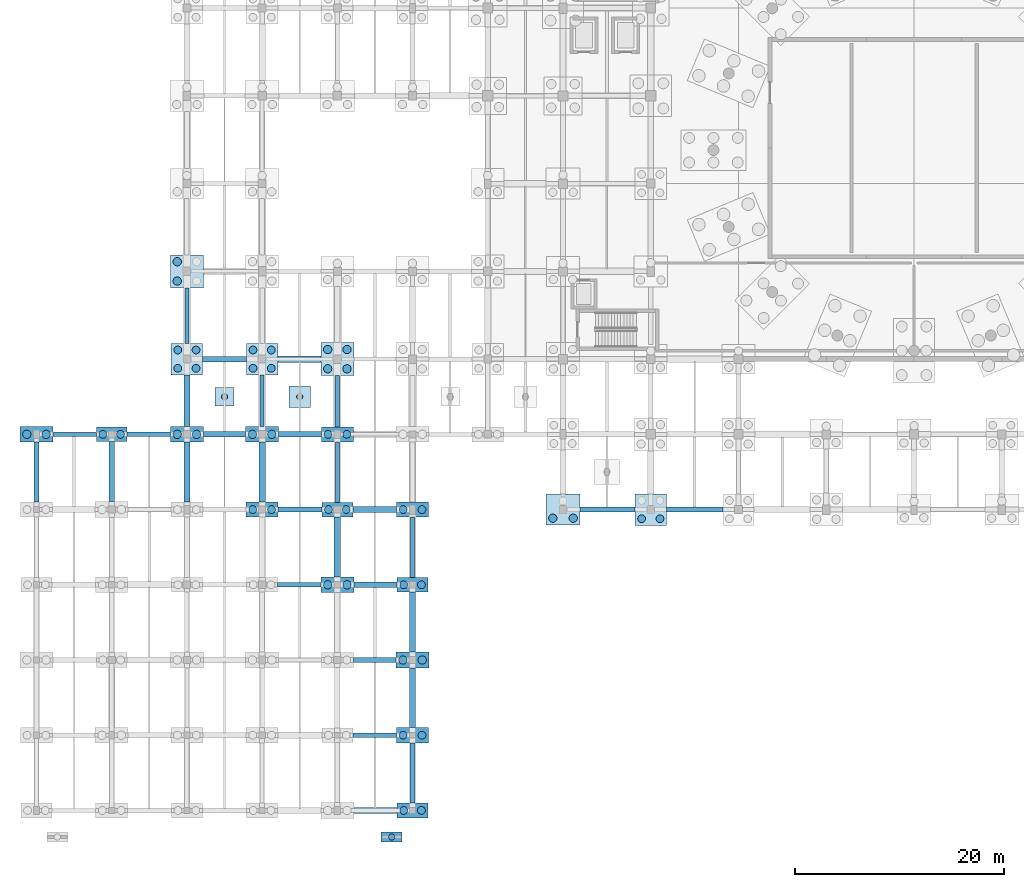
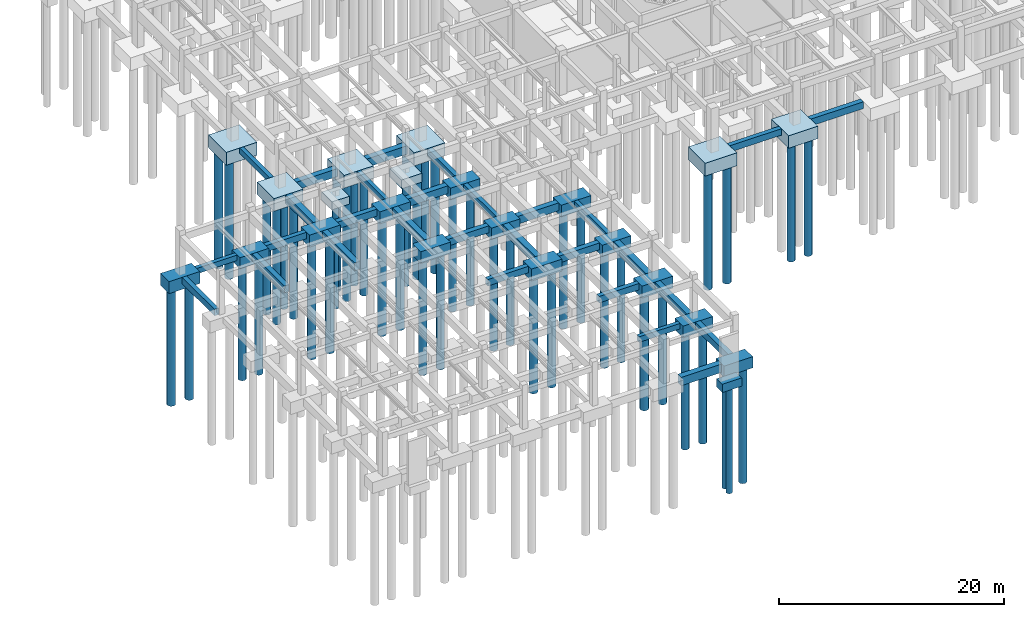
# One storey, part 2 of 44: 51 footings, 47 piles.
"""IFC4 building model written with IfcOpenShell, lengths in metres."""

from ifc_helpers import new_model, si_unit, direction, frame, origin, origin_2d, place, context, subcontext, project, spatial, rectangle, circle, extrude, material, material_profile, profile_set, type_object, element, save


model = new_model("IFC4")

# Units and contexts
model_context = context("Model", 3, precision=1e-05, world=origin(), true_north=direction((0.0, 1.0)))
body_context = subcontext(model_context, "Body", "Model", "MODEL_VIEW")
ifc_project = project(units=[si_unit("LENGTHUNIT", "METRE"), si_unit("AREAUNIT", "SQUARE_METRE"), si_unit("VOLUMEUNIT", "CUBIC_METRE"), si_unit("PLANEANGLEUNIT", "RADIAN"), si_unit("MASSUNIT", "GRAM", prefix="KILO")], contexts=[model_context])

# Site, building, storey
site_placement = place(None, origin())
site = spatial("IfcSite", under=ifc_project, at=site_placement, CompositionType="ELEMENT")
building_placement = place(site_placement, origin())
building = spatial("IfcBuilding", under=site, at=building_placement, Name="Korsvaeld Concert Hall", CompositionType="ELEMENT")
storey_placement = place(building_placement, frame((0.0, 0.0, -4.800048828125)))
storey = spatial("IfcBuildingStorey", under=building, at=storey_placement, Name="B1", CompositionType="ELEMENT", Elevation=-4.800048828125)

# Footings
ifc_material = material(Name="Concrete C35/45", Category="concrete")
ifc_material_profile_1 = material_profile(ifc_material, rectangle(XDim=0.39990234375, YDim=0.60009765625, at=origin_2d()), Name="GTB 400x600")
ifc_profile_set_1 = profile_set([ifc_material_profile_1], Name="Concrete C35/45")
footing_type_1 = type_object("IfcFootingType", Name="GTB-400x600", PredefinedType="FOOTING_BEAM", material=ifc_profile_set_1)
footing_1_placement = place(storey_placement, frame((30.27490234375, 7.199951171875, -0.300048828125), z_axis=(1.0, 0.0, 0.0), x_axis=(0.0, 1.0, 0.0)))
element("IfcFooting", 1, at=footing_1_placement, inside=storey, type_object=footing_type_1, Name="Ground tie beam 5-6/B", PredefinedType="FOOTING_BEAM", context=body_context, shape_type="SweptSolid", body=[
    extrude(rectangle(XDim=0.39990234375, YDim=0.60009765625, at=origin_2d()), origin(), (0.0, 0.0, 1.0), 4.2001953125),
])
footing_2_placement = place(storey_placement, frame((1.574951171875, 36.0, -0.300048828125), z_axis=(1.0, 0.0, 0.0), x_axis=(0.0, 1.0, 0.0)))
element("IfcFooting", 2, at=footing_2_placement, inside=storey, type_object=footing_type_1, Name="Ground tie beam 1-2/F", PredefinedType="FOOTING_BEAM", context=body_context, shape_type="SweptSolid", body=[
    extrude(rectangle(XDim=0.39990234375, YDim=0.60009765625, at=origin_2d()), origin(), (0.0, 0.0, 1.0), 4.150146484375),
])
footing_3_placement = place(storey_placement, frame((14.39990234375, 44.699951171875, -0.300048828125), z_axis=(0.0, 1.0, 0.0), x_axis=(-1.0, 0.0, 0.0)))
element("IfcFooting", 3, at=footing_3_placement, inside=storey, type_object=footing_type_1, Name="Ground tie beam 3/G-H", PredefinedType="FOOTING_BEAM", context=body_context, shape_type="SweptSolid", body=[
    extrude(rectangle(XDim=0.39990234375, YDim=0.60009765625, at=origin_2d()), origin(), (0.0, 0.0, 1.0), 5.324951171875),
])
footing_4_placement = place(storey_placement, frame((21.60009765625, 36.75, -0.300048828125), z_axis=(0.0, 1.0, 0.0), x_axis=(-1.0, 0.0, 0.0)))
element("IfcFooting", 4, at=footing_4_placement, inside=storey, type_object=footing_type_1, Name="Ground tie beam 4/F-G", PredefinedType="FOOTING_BEAM", context=body_context, shape_type="SweptSolid", body=[
    extrude(rectangle(XDim=0.39990234375, YDim=0.60009765625, at=origin_2d()), origin(), (0.0, 0.0, 1.0), 4.949951171875),
])
for number, where, z_axis, x_axis, name in (
    (5, (28.800048828125, 29.5, -0.300048828125), (0.0, 1.0, 0.0), (-1.0, 0.0, 0.0), "Ground tie beam 5/E-F"),
    (6, (36.0, 22.300048828125, -0.300048828125), (0.0, 1.0, 0.0), (-1.0, 0.0, 0.0), "Ground tie beam 6/D-E"),
):
    element("IfcFooting", number, at=place(storey_placement, frame(where, z_axis=z_axis, x_axis=x_axis)), inside=storey, type_object=footing_type_1, Name=name, PredefinedType="FOOTING_BEAM", context=body_context, shape_type="SweptSolid", body=[
        extrude(rectangle(XDim=0.39990234375, YDim=0.60009765625, at=origin_2d()), origin(), (0.0, 0.0, 1.0), 5.77490234375),
    ])
ifc_material_profile_2 = material_profile(ifc_material, rectangle(XDim=0.449951171875, YDim=0.699951171875, at=origin_2d()), Name="GTB 450x700")
ifc_profile_set_2 = profile_set([ifc_material_profile_2], Name="Concrete C35/45")
footing_type_2 = type_object("IfcFootingType", Name="GTB-450x700", PredefinedType="FOOTING_BEAM", material=ifc_profile_set_2)
footing_5_placement = place(storey_placement, frame((30.324951171875, 14.39990234375, -0.349853515625), z_axis=(1.0, 0.0, 0.0), x_axis=(0.0, 1.0, 0.0)))
element("IfcFooting", 7, at=footing_5_placement, inside=storey, type_object=footing_type_2, Name="Ground tie beam 5-6/C", PredefinedType="FOOTING_BEAM", context=body_context, shape_type="SweptSolid", body=[
    extrude(rectangle(XDim=0.449951171875, YDim=0.699951171875, at=origin_2d()), origin(), (0.0, 0.0, 1.0), 4.10009765625),
])
footing_6_placement = place(storey_placement, frame((23.074951171875, 21.60009765625, -0.349853515625), z_axis=(1.0, 0.0, 0.0), x_axis=(0.0, 1.0, 0.0)))
element("IfcFooting", 8, at=footing_6_placement, inside=storey, type_object=footing_type_2, Name="Ground tie beam 4-5/D", PredefinedType="FOOTING_BEAM", context=body_context, shape_type="SweptSolid", body=[
    extrude(rectangle(XDim=0.449951171875, YDim=0.699951171875, at=origin_2d()), origin(), (0.0, 0.0, 1.0), 4.150146484375),
])
footing_7_placement = place(storey_placement, frame((52.02490234375, 28.800048828125, -0.349853515625), z_axis=(1.0, 0.0, 0.0), x_axis=(0.0, 1.0, 0.0)))
element("IfcFooting", 9, at=footing_7_placement, inside=storey, type_object=footing_type_2, Name="Ground tie beam 8-9/E", PredefinedType="FOOTING_BEAM", context=body_context, shape_type="SweptSolid", body=[
    extrude(rectangle(XDim=0.449951171875, YDim=0.699951171875, at=origin_2d()), origin(), (0.0, 0.0, 1.0), 5.275146484375),
])
footing_8_placement = place(storey_placement, frame((8.675048828125, 36.0, -0.349853515625), z_axis=(1.0, 0.0, 0.0), x_axis=(0.0, 1.0, 0.0)))
element("IfcFooting", 10, at=footing_8_placement, inside=storey, type_object=footing_type_2, Name="Ground tie beam 2-3/F", PredefinedType="FOOTING_BEAM", context=body_context, shape_type="SweptSolid", body=[
    extrude(rectangle(XDim=0.449951171875, YDim=0.699951171875, at=origin_2d()), origin(), (0.0, 0.0, 1.0), 4.14990234375),
])
footing_9_placement = place(storey_placement, frame((0.0, 29.52490234375, -0.349853515625), z_axis=(0.0, 1.0, 0.0), x_axis=(-1.0, 0.0, 0.0)))
element("IfcFooting", 11, at=footing_9_placement, inside=storey, type_object=footing_type_2, Name="Ground tie beam 1/E-F", PredefinedType="FOOTING_BEAM", context=body_context, shape_type="SweptSolid", body=[
    extrude(rectangle(XDim=0.449951171875, YDim=0.699951171875, at=origin_2d()), origin(), (0.0, 0.0, 1.0), 5.72509765625),
])
footing_10_placement = place(storey_placement, frame((28.800048828125, 36.72509765625, -0.349853515625), z_axis=(0.0, 1.0, 0.0), x_axis=(-1.0, 0.0, 0.0)))
element("IfcFooting", 12, at=footing_10_placement, inside=storey, type_object=footing_type_2, Name="Ground tie beam 5/F-G", PredefinedType="FOOTING_BEAM", context=body_context, shape_type="SweptSolid", body=[
    extrude(rectangle(XDim=0.449951171875, YDim=0.699951171875, at=origin_2d()), origin(), (0.0, 0.0, 1.0), 4.89990234375),
])
ifc_material_profile_3 = material_profile(ifc_material, rectangle(XDim=0.5, YDim=0.75, at=origin_2d()), Name="GTB 500x750")
ifc_profile_set_3 = profile_set([ifc_material_profile_3], Name="Concrete C35/45")
footing_type_3 = type_object("IfcFootingType", Name="GTB-500x750", PredefinedType="FOOTING_BEAM", material=ifc_profile_set_3)
footing_11_placement = place(storey_placement, frame((30.375, 21.60009765625, -0.375), z_axis=(1.0, 0.0, 0.0), x_axis=(0.0, 1.0, 0.0)))
element("IfcFooting", 13, at=footing_11_placement, inside=storey, type_object=footing_type_3, Name="Ground tie beam 5-6/D", PredefinedType="FOOTING_BEAM", context=body_context, shape_type="SweptSolid", body=[
    extrude(rectangle(XDim=0.5, YDim=0.75, at=origin_2d()), origin(), (0.0, 0.0, 1.0), 4.14990234375),
])
footing_12_placement = place(storey_placement, frame((23.125, 28.800048828125, -0.375), z_axis=(1.0, 0.0, 0.0), x_axis=(0.0, 1.0, 0.0)))
element("IfcFooting", 14, at=footing_12_placement, inside=storey, type_object=footing_type_3, Name="Ground tie beam 4-5/E", PredefinedType="FOOTING_BEAM", context=body_context, shape_type="SweptSolid", body=[
    extrude(rectangle(XDim=0.5, YDim=0.75, at=origin_2d()), origin(), (0.0, 0.0, 1.0), 4.199951171875),
])
footing_13_placement = place(storey_placement, frame((60.300048828125, 28.800048828125, -0.375), z_axis=(1.0, 0.0, 0.0), x_axis=(0.0, 1.0, 0.0)))
element("IfcFooting", 15, at=footing_13_placement, inside=storey, type_object=footing_type_3, Name="Ground tie beam 9-10/E", PredefinedType="FOOTING_BEAM", context=body_context, shape_type="SweptSolid", body=[
    extrude(rectangle(XDim=0.5, YDim=0.75, at=origin_2d()), origin(), (0.0, 0.0, 1.0), 5.39990234375),
])
footing_14_placement = place(storey_placement, frame((15.97509765625, 36.0, -0.375), z_axis=(1.0, 0.0, 0.0), x_axis=(0.0, 1.0, 0.0)))
element("IfcFooting", 16, at=footing_14_placement, inside=storey, type_object=footing_type_3, Name="Ground tie beam 3-4/F", PredefinedType="FOOTING_BEAM", context=body_context, shape_type="SweptSolid", body=[
    extrude(rectangle(XDim=0.5, YDim=0.75, at=origin_2d()), origin(), (0.0, 0.0, 1.0), 4.0498046875),
])
footing_15_placement = place(storey_placement, frame((7.199951171875, 29.550048828125, -0.375), z_axis=(0.0, 1.0, 0.0), x_axis=(-1.0, 0.0, 0.0)))
element("IfcFooting", 17, at=footing_15_placement, inside=storey, type_object=footing_type_3, Name="Ground tie beam 2/E-F", PredefinedType="FOOTING_BEAM", context=body_context, shape_type="SweptSolid", body=[
    extrude(rectangle(XDim=0.5, YDim=0.75, at=origin_2d()), origin(), (0.0, 0.0, 1.0), 5.75),
])
footing_16_placement = place(storey_placement, frame((36.0, 0.699951171875, -0.375), z_axis=(0.0, 1.0, 0.0), x_axis=(-1.0, 0.0, 0.0)))
element("IfcFooting", 18, at=footing_16_placement, inside=storey, type_object=footing_type_3, Name="Ground tie beam 6/A-B", PredefinedType="FOOTING_BEAM", context=body_context, shape_type="SweptSolid", body=[
    extrude(rectangle(XDim=0.5, YDim=0.75, at=origin_2d()), origin(), (0.0, 0.0, 1.0), 5.775146484375),
])
ifc_material_profile_4 = material_profile(ifc_material, rectangle(XDim=0.550048828125, YDim=0.85009765625, at=origin_2d()), Name="GTB 550x850")
ifc_profile_set_4 = profile_set([ifc_material_profile_4], Name="Concrete C35/45")
footing_type_4 = type_object("IfcFootingType", Name="GTB-550x850", PredefinedType="FOOTING_BEAM", material=ifc_profile_set_4)
footing_17_placement = place(storey_placement, frame((30.27490234375, 28.800048828125, -0.425048828125), z_axis=(1.0, 0.0, 0.0), x_axis=(0.0, 1.0, 0.0)))
element("IfcFooting", 19, at=footing_17_placement, inside=storey, type_object=footing_type_4, Name="Ground tie beam 5-6/E", PredefinedType="FOOTING_BEAM", context=body_context, shape_type="SweptSolid", body=[
    extrude(rectangle(XDim=0.550048828125, YDim=0.85009765625, at=origin_2d()), origin(), (0.0, 0.0, 1.0), 4.2001953125),
])
footing_18_placement = place(storey_placement, frame((23.175048828125, 36.0, -0.425048828125), z_axis=(1.0, 0.0, 0.0), x_axis=(0.0, 1.0, 0.0)))
element("IfcFooting", 20, at=footing_18_placement, inside=storey, type_object=footing_type_4, Name="Ground tie beam 4-5/F", PredefinedType="FOOTING_BEAM", context=body_context, shape_type="SweptSolid", body=[
    extrude(rectangle(XDim=0.550048828125, YDim=0.85009765625, at=origin_2d()), origin(), (0.0, 0.0, 1.0), 4.099853515625),
])
footing_19_placement = place(storey_placement, frame((15.89990234375, 43.199951171875, -0.425048828125), z_axis=(1.0, 0.0, 0.0), x_axis=(0.0, 1.0, 0.0)))
element("IfcFooting", 21, at=footing_19_placement, inside=storey, type_object=footing_type_4, Name="Ground tie beam 3-4/G", PredefinedType="FOOTING_BEAM", context=body_context, shape_type="SweptSolid", body=[
    extrude(rectangle(XDim=0.550048828125, YDim=0.85009765625, at=origin_2d()), origin(), (0.0, 0.0, 1.0), 4.2001953125),
])
footing_20_placement = place(storey_placement, frame((14.39990234375, 29.52490234375, -0.425048828125), z_axis=(0.0, 1.0, 0.0), x_axis=(-1.0, 0.0, 0.0)))
element("IfcFooting", 22, at=footing_20_placement, inside=storey, type_object=footing_type_4, Name="Ground tie beam 3/E-F", PredefinedType="FOOTING_BEAM", context=body_context, shape_type="SweptSolid", body=[
    extrude(rectangle(XDim=0.550048828125, YDim=0.85009765625, at=origin_2d()), origin(), (0.0, 0.0, 1.0), 5.72509765625),
])
footing_21_placement = place(storey_placement, frame((36.0, 7.925048828125, -0.425048828125), z_axis=(0.0, 1.0, 0.0), x_axis=(-1.0, 0.0, 0.0)))
element("IfcFooting", 23, at=footing_21_placement, inside=storey, type_object=footing_type_4, Name="Ground tie beam 6/B-C", PredefinedType="FOOTING_BEAM", context=body_context, shape_type="SweptSolid", body=[
    extrude(rectangle(XDim=0.550048828125, YDim=0.85009765625, at=origin_2d()), origin(), (0.0, 0.0, 1.0), 5.724853515625),
])
ifc_material_profile_5 = material_profile(ifc_material, rectangle(XDim=0.60009765625, YDim=0.89990234375, at=origin_2d()), Name="GTB 600x900")
ifc_profile_set_5 = profile_set([ifc_material_profile_5], Name="Concrete C35/45")
footing_type_5 = type_object("IfcFootingType", Name="GTB-600x900", PredefinedType="FOOTING_BEAM", material=ifc_profile_set_5)
footing_22_placement = place(storey_placement, frame((30.375, 0.0, -0.449951171875), z_axis=(1.0, 0.0, 0.0), x_axis=(0.0, 1.0, 0.0)))
element("IfcFooting", 24, at=footing_22_placement, inside=storey, type_object=footing_type_5, Name="Ground tie beam 5-6/A", PredefinedType="FOOTING_BEAM", context=body_context, shape_type="SweptSolid", body=[
    extrude(rectangle(XDim=0.60009765625, YDim=0.89990234375, at=origin_2d()), origin(), (0.0, 0.0, 1.0), 4.14990234375),
])
footing_23_placement = place(storey_placement, frame((23.10009765625, 43.199951171875, -0.449951171875), z_axis=(1.0, 0.0, 0.0), x_axis=(0.0, 1.0, 0.0)))
element("IfcFooting", 25, at=footing_23_placement, inside=storey, type_object=footing_type_5, Name="Ground tie beam 4-5/G", PredefinedType="FOOTING_BEAM", context=body_context, shape_type="SweptSolid", body=[
    extrude(rectangle(XDim=0.60009765625, YDim=0.89990234375, at=origin_2d()), origin(), (0.0, 0.0, 1.0), 4.125),
])
footing_24_placement = place(storey_placement, frame((14.39990234375, 36.75, -0.449951171875), z_axis=(0.0, 1.0, 0.0), x_axis=(-1.0, 0.0, 0.0)))
element("IfcFooting", 26, at=footing_24_placement, inside=storey, type_object=footing_type_5, Name="Ground tie beam 3/F-G", PredefinedType="FOOTING_BEAM", context=body_context, shape_type="SweptSolid", body=[
    extrude(rectangle(XDim=0.60009765625, YDim=0.89990234375, at=origin_2d()), origin(), (0.0, 0.0, 1.0), 4.949951171875),
])
footing_25_placement = place(storey_placement, frame((21.60009765625, 29.52490234375, -0.449951171875), z_axis=(0.0, 1.0, 0.0), x_axis=(-1.0, 0.0, 0.0)))
element("IfcFooting", 27, at=footing_25_placement, inside=storey, type_object=footing_type_5, Name="Ground tie beam 4/E-F", PredefinedType="FOOTING_BEAM", context=body_context, shape_type="SweptSolid", body=[
    extrude(rectangle(XDim=0.60009765625, YDim=0.89990234375, at=origin_2d()), origin(), (0.0, 0.0, 1.0), 5.72509765625),
])
for number, where, z_axis, x_axis, name in (
    (28, (28.800048828125, 22.35009765625, -0.449951171875), (0.0, 1.0, 0.0), (-1.0, 0.0, 0.0), "Ground tie beam 5/D-E"),
    (29, (36.0, 15.14990234375, -0.449951171875), (0.0, 1.0, 0.0), (-1.0, 0.0, 0.0), "Ground tie beam 6/C-D"),
):
    element("IfcFooting", number, at=place(storey_placement, frame(where, z_axis=z_axis, x_axis=x_axis)), inside=storey, type_object=footing_type_5, Name=name, PredefinedType="FOOTING_BEAM", context=body_context, shape_type="SweptSolid", body=[
        extrude(rectangle(XDim=0.60009765625, YDim=0.89990234375, at=origin_2d()), origin(), (0.0, 0.0, 1.0), 5.75),
    ])
footing_type_6 = type_object("IfcFootingType", Name="PC-2P-240x130x120", PredefinedType="PILE_CAP", material=ifc_material)
for number, where, z_axis, x_axis, name in (
    (30, (7.199951171875, 36.0, -1.19970703125), (0.0, 0.0, 1.0), (1.0, 0.0, 0.0), "Pile cap 2/F"),
    (31, (28.800048828125, 28.800048828125, -1.19970703125), (0.0, 0.0, 1.0), (1.0, 0.0, 0.0), "Pile cap 5/E"),
    (32, (36.0, 0.0, -1.19970703125), (0.0, 0.0, 1.0), (1.0, 0.0, 0.0), "Pile cap 6/A"),
    (33, (36.0, 21.60009765625, -1.19970703125), (0.0, 0.0, 1.0), (1.0, 0.0, 0.0), "Pile cap 6/D"),
):
    element("IfcFooting", number, at=place(storey_placement, frame(where, z_axis=z_axis, x_axis=x_axis)), inside=storey, type_object=footing_type_6, Name=name, PredefinedType="PILE_CAP", context=body_context, shape_type="SweptSolid", body=[
        extrude(rectangle(XDim=2.949951171875, YDim=1.39990234375, at=origin_2d()), origin(), (0.0, 0.0, 1.0), 1.199951171875),
    ])
footing_type_7 = type_object("IfcFootingType", Name="PC-2P-260x140x125", PredefinedType="PILE_CAP", material=ifc_material)
for number, where, z_axis, x_axis, name in (
    (34, (21.60009765625, 28.800048828125, -1.25), (0.0, 0.0, 1.0), (1.0, 0.0, 0.0), "Pile cap 4/E"),
    (35, (28.800048828125, 36.0, -1.25), (0.0, 0.0, 1.0), (1.0, 0.0, 0.0), "Pile cap 5/F"),
    (36, (36.0, 7.199951171875, -1.25), (0.0, 0.0, 1.0), (1.0, 0.0, 0.0), "Pile cap 6/B"),
    (37, (36.0, 28.800048828125, -1.25), (0.0, 0.0, 1.0), (1.0, 0.0, 0.0), "Pile cap 6/E"),
):
    element("IfcFooting", number, at=place(storey_placement, frame(where, z_axis=z_axis, x_axis=x_axis)), inside=storey, type_object=footing_type_7, Name=name, PredefinedType="PILE_CAP", context=body_context, shape_type="SweptSolid", body=[
        extrude(rectangle(XDim=3.050048828125, YDim=1.449951171875, at=origin_2d()), origin(), (0.0, 0.0, 1.0), 1.25),
    ])
footing_type_8 = type_object("IfcFootingType", Name="PC-2P-280x150x130", PredefinedType="PILE_CAP", material=ifc_material)
for number, where, z_axis, x_axis, name in (
    (38, (0.0, 36.0, -1.2998046875), (0.0, 0.0, 1.0), (1.0, 0.0, 0.0), "Pile cap 1/F"),
    (39, (14.39990234375, 36.0, -1.2998046875), (0.0, 0.0, 1.0), (1.0, 0.0, 0.0), "Pile cap 3/F"),
    (40, (21.60009765625, 36.0, -1.2998046875), (0.0, 0.0, 1.0), (1.0, 0.0, 0.0), "Pile cap 4/F"),
    (41, (28.800048828125, 21.60009765625, -1.2998046875), (0.0, 0.0, 1.0), (1.0, 0.0, 0.0), "Pile cap 5/D"),
    (42, (36.0, 14.39990234375, -1.2998046875), (0.0, 0.0, 1.0), (1.0, 0.0, 0.0), "Pile cap 6/C"),
):
    element("IfcFooting", number, at=place(storey_placement, frame(where, z_axis=z_axis, x_axis=x_axis)), inside=storey, type_object=footing_type_8, Name=name, PredefinedType="PILE_CAP", context=body_context, shape_type="SweptSolid", body=[
        extrude(rectangle(XDim=3.14990234375, YDim=1.5, at=origin_2d()), origin(), (0.0, 0.0, 1.0), 1.300048828125),
    ])
footing_type_9 = type_object("IfcFootingType", Name="PC-3P-310x280x140", PredefinedType="PILE_CAP", material=ifc_material)
footing_26_placement = place(storey_placement, frame((50.39990234375, 28.800048828125, -1.39990234375), z_axis=(0.0, 0.0, 1.0), x_axis=(1.0, 0.0, 0.0)))
element("IfcFooting", 43, at=footing_26_placement, inside=storey, type_object=footing_type_9, Name="Pile cap 8/E", PredefinedType="PILE_CAP", context=body_context, shape_type="SweptSolid", body=[
    extrude(rectangle(XDim=3.25, YDim=2.949951171875, at=origin_2d()), origin(), (0.0, 0.0, 1.0), 1.39990234375),
])
footing_type_10 = type_object("IfcFootingType", Name="PC-4P-280x280x135", PredefinedType="PILE_CAP", material=ifc_material)
for number, where, z_axis, x_axis, name in (
    (44, (14.39990234375, 43.199951171875, -1.35009765625), (0.0, 0.0, 1.0), (1.0, 0.0, 0.0), "Pile cap 3/G"),
    (45, (21.60009765625, 43.199951171875, -1.35009765625), (0.0, 0.0, 1.0), (1.0, 0.0, 0.0), "Pile cap 4/G"),
    (46, (58.800048828125, 28.800048828125, -1.35009765625), (0.0, 0.0, 1.0), (1.0, 0.0, 0.0), "Pile cap 9/E"),
):
    element("IfcFooting", number, at=place(storey_placement, frame(where, z_axis=z_axis, x_axis=x_axis)), inside=storey, type_object=footing_type_10, Name=name, PredefinedType="PILE_CAP", context=body_context, shape_type="SweptSolid", body=[
        extrude(rectangle(XDim=3.0, YDim=3.0, at=origin_2d()), origin(), (0.0, 0.0, 1.0), 1.35009765625),
    ])
footing_type_11 = type_object("IfcFootingType", Name="PC-4P-300x300x140", PredefinedType="PILE_CAP", material=ifc_material)
for number, where, z_axis, x_axis, name in (
    (47, (14.39990234375, 51.60009765625, -1.39990234375), (0.0, 0.0, 1.0), (1.0, 0.0, 0.0), "Pile cap 3/H"),
    (48, (28.800048828125, 43.199951171875, -1.39990234375), (0.0, 0.0, 1.0), (1.0, 0.0, 0.0), "Pile cap 5/G"),
):
    element("IfcFooting", number, at=place(storey_placement, frame(where, z_axis=z_axis, x_axis=x_axis)), inside=storey, type_object=footing_type_11, Name=name, PredefinedType="PILE_CAP", context=body_context, shape_type="SweptSolid", body=[
        extrude(rectangle(XDim=3.14990234375, YDim=3.14990234375, at=origin_2d()), origin(), (0.0, 0.0, 1.0), 1.39990234375),
    ])
footing_type_12 = type_object("IfcFootingType", Name="PF-PAD-180x180x85", PredefinedType="PAD_FOOTING", material=ifc_material)
footing_27_placement = place(storey_placement, frame((18.0, 39.60009765625, -0.85009765625), z_axis=(0.0, 0.0, 1.0), x_axis=(1.0, 0.0, 0.0)))
element("IfcFooting", 49, at=footing_27_placement, inside=storey, type_object=footing_type_12, Name="Pilaster pad footing PLF-07", PredefinedType="PAD_FOOTING", context=body_context, shape_type="SweptSolid", body=[
    extrude(rectangle(XDim=1.800048828125, YDim=1.800048828125, at=origin_2d()), origin(), (0.0, 0.0, 1.0), 0.85009765625),
])
footing_type_13 = type_object("IfcFootingType", Name="PF-PAD-210x210x95", PredefinedType="PAD_FOOTING", material=ifc_material)
footing_28_placement = place(storey_placement, frame((25.199951171875, 39.60009765625, -0.94970703125), z_axis=(0.0, 0.0, 1.0), x_axis=(1.0, 0.0, 0.0)))
element("IfcFooting", 50, at=footing_28_placement, inside=storey, type_object=footing_type_13, Name="Pilaster pad footing PLF-08", PredefinedType="PAD_FOOTING", context=body_context, shape_type="SweptSolid", body=[
    extrude(rectangle(XDim=2.10009765625, YDim=2.10009765625, at=origin_2d()), origin(), (0.0, 0.0, 1.0), 0.949951171875),
])
footing_type_14 = type_object("IfcFootingType", Name="PF-RAMP-200x100x90", PredefinedType="PAD_FOOTING", material=ifc_material)
footing_29_placement = place(storey_placement, frame((34.0, -2.5400390625, -0.89990234375), z_axis=(0.0, 0.0, 1.0), x_axis=(1.0, 0.0, 0.0)))
element("IfcFooting", 51, at=footing_29_placement, inside=storey, type_object=footing_type_14, Name="Ramp toe foundation RMP-SW2", PredefinedType="PAD_FOOTING", context=body_context, shape_type="SweptSolid", body=[
    extrude(rectangle(XDim=2.0, YDim=1.0, at=origin_2d()), origin(), (0.0, 0.0, 1.0), 0.89990234375),
])

# Piles
ifc_material_profile_6 = material_profile(ifc_material, circle(Radius=0.300048828125, at=origin_2d()), Name="BORED PILE D600")
ifc_profile_set_6 = profile_set([ifc_material_profile_6], Name="Concrete C35/45")
pile_type_1 = type_object("IfcPileType", Name="PILE-D600", PredefinedType="BORED", material=ifc_profile_set_6)
for number, where, z_axis, x_axis, name in (
    (52, (18.0, 39.60009765625, -0.75), (0.0, 0.0, -1.0), (1.0, 0.0, 0.0), "Pilaster bored pile PLP-07"),
    (53, (25.199951171875, 39.60009765625, -0.849853515625), (0.0, 0.0, -1.0), (1.0, 0.0, 0.0), "Pilaster bored pile PLP-08"),
    (54, (34.0, -2.5400390625, -0.800048828125), (0.0, 0.0, -1.0), (1.0, 0.0, 0.0), "Ramp toe bored pile RMP-SW2"),
):
    element("IfcPile", number, at=place(storey_placement, frame(where, z_axis=z_axis, x_axis=x_axis)), inside=storey, type_object=pile_type_1, Name=name, PredefinedType="BORED", context=body_context, shape_type="SweptSolid", body=[
        extrude(circle(Radius=0.300048828125, at=origin_2d()), origin(), (0.0, 0.0, 1.0), 11.5),
    ])
ifc_material_profile_7 = material_profile(ifc_material, circle(Radius=0.375, at=origin_2d()), Name="BORED PILE D750")
ifc_profile_set_7 = profile_set([ifc_material_profile_7], Name="Concrete C35/45")
pile_type_2 = type_object("IfcPileType", Name="PILE-D750", PredefinedType="BORED", material=ifc_profile_set_7)
for number, where, z_axis, x_axis, name in (
    (55, (6.35009765625, 36.0, -1.099853515625), (0.0, 0.0, -1.0), (1.0, 0.0, 0.0), "Bored pile 2/F-1"),
    (56, (8.050048828125, 36.0, -1.099853515625), (0.0, 0.0, -1.0), (1.0, 0.0, 0.0), "Bored pile 2/F-2"),
):
    element("IfcPile", number, at=place(storey_placement, frame(where, z_axis=z_axis, x_axis=x_axis)), inside=storey, type_object=pile_type_2, Name=name, PredefinedType="BORED", context=body_context, shape_type="SweptSolid", body=[
        extrude(circle(Radius=0.375, at=origin_2d()), origin(), (0.0, 0.0, 1.0), 12.60009765625),
    ])
for number, where, z_axis, x_axis, name in (
    (57, (13.52490234375, 42.324951171875, -1.25), (0.0, 0.0, -1.0), (1.0, 0.0, 0.0), "Bored pile 3/G-1"),
    (58, (15.27490234375, 42.324951171875, -1.25), (0.0, 0.0, -1.0), (1.0, 0.0, 0.0), "Bored pile 3/G-2"),
    (59, (13.52490234375, 44.074951171875, -1.25), (0.0, 0.0, -1.0), (1.0, 0.0, 0.0), "Bored pile 3/G-3"),
    (60, (15.27490234375, 44.074951171875, -1.25), (0.0, 0.0, -1.0), (1.0, 0.0, 0.0), "Bored pile 3/G-4"),
):
    element("IfcPile", number, at=place(storey_placement, frame(where, z_axis=z_axis, x_axis=x_axis)), inside=storey, type_object=pile_type_2, Name=name, PredefinedType="BORED", context=body_context, shape_type="SweptSolid", body=[
        extrude(circle(Radius=0.375, at=origin_2d()), origin(), (0.0, 0.0, 1.0), 12.75),
    ])
for number, where, z_axis, x_axis, name in (
    (61, (20.699951171875, 28.800048828125, -1.14990234375), (0.0, 0.0, -1.0), (1.0, 0.0, 0.0), "Bored pile 4/E-1"),
    (62, (22.5, 28.800048828125, -1.14990234375), (0.0, 0.0, -1.0), (1.0, 0.0, 0.0), "Bored pile 4/E-2"),
):
    element("IfcPile", number, at=place(storey_placement, frame(where, z_axis=z_axis, x_axis=x_axis)), inside=storey, type_object=pile_type_2, Name=name, PredefinedType="BORED", context=body_context, shape_type="SweptSolid", body=[
        extrude(circle(Radius=0.375, at=origin_2d()), origin(), (0.0, 0.0, 1.0), 12.64990234375),
    ])
for number, where, z_axis, x_axis, name in (
    (63, (20.72509765625, 42.324951171875, -1.25), (0.0, 0.0, -1.0), (1.0, 0.0, 0.0), "Bored pile 4/G-1"),
    (64, (22.47509765625, 42.324951171875, -1.25), (0.0, 0.0, -1.0), (1.0, 0.0, 0.0), "Bored pile 4/G-2"),
    (65, (20.72509765625, 44.074951171875, -1.25), (0.0, 0.0, -1.0), (1.0, 0.0, 0.0), "Bored pile 4/G-3"),
    (66, (22.47509765625, 44.074951171875, -1.25), (0.0, 0.0, -1.0), (1.0, 0.0, 0.0), "Bored pile 4/G-4"),
):
    element("IfcPile", number, at=place(storey_placement, frame(where, z_axis=z_axis, x_axis=x_axis)), inside=storey, type_object=pile_type_2, Name=name, PredefinedType="BORED", context=body_context, shape_type="SweptSolid", body=[
        extrude(circle(Radius=0.375, at=origin_2d()), origin(), (0.0, 0.0, 1.0), 12.75),
    ])
for number, where, z_axis, x_axis, name in (
    (67, (27.949951171875, 28.800048828125, -1.099853515625), (0.0, 0.0, -1.0), (1.0, 0.0, 0.0), "Bored pile 5/E-1"),
    (68, (29.64990234375, 28.800048828125, -1.099853515625), (0.0, 0.0, -1.0), (1.0, 0.0, 0.0), "Bored pile 5/E-2"),
):
    element("IfcPile", number, at=place(storey_placement, frame(where, z_axis=z_axis, x_axis=x_axis)), inside=storey, type_object=pile_type_2, Name=name, PredefinedType="BORED", context=body_context, shape_type="SweptSolid", body=[
        extrude(circle(Radius=0.375, at=origin_2d()), origin(), (0.0, 0.0, 1.0), 12.60009765625),
    ])
for number, where, z_axis, x_axis, name in (
    (69, (27.89990234375, 36.0, -1.14990234375), (0.0, 0.0, -1.0), (1.0, 0.0, 0.0), "Bored pile 5/F-1"),
    (70, (29.699951171875, 36.0, -1.14990234375), (0.0, 0.0, -1.0), (1.0, 0.0, 0.0), "Bored pile 5/F-2"),
):
    element("IfcPile", number, at=place(storey_placement, frame(where, z_axis=z_axis, x_axis=x_axis)), inside=storey, type_object=pile_type_2, Name=name, PredefinedType="BORED", context=body_context, shape_type="SweptSolid", body=[
        extrude(circle(Radius=0.375, at=origin_2d()), origin(), (0.0, 0.0, 1.0), 12.64990234375),
    ])
for number, where, z_axis, x_axis, name in (
    (71, (35.14990234375, 0.0, -1.099853515625), (0.0, 0.0, -1.0), (1.0, 0.0, 0.0), "Bored pile 6/A-1"),
    (72, (36.85009765625, 0.0, -1.099853515625), (0.0, 0.0, -1.0), (1.0, 0.0, 0.0), "Bored pile 6/A-2"),
):
    element("IfcPile", number, at=place(storey_placement, frame(where, z_axis=z_axis, x_axis=x_axis)), inside=storey, type_object=pile_type_2, Name=name, PredefinedType="BORED", context=body_context, shape_type="SweptSolid", body=[
        extrude(circle(Radius=0.375, at=origin_2d()), origin(), (0.0, 0.0, 1.0), 12.60009765625),
    ])
for number, where, z_axis, x_axis, name in (
    (73, (35.10009765625, 7.199951171875, -1.14990234375), (0.0, 0.0, -1.0), (1.0, 0.0, 0.0), "Bored pile 6/B-1"),
    (74, (36.89990234375, 7.199951171875, -1.14990234375), (0.0, 0.0, -1.0), (1.0, 0.0, 0.0), "Bored pile 6/B-2"),
):
    element("IfcPile", number, at=place(storey_placement, frame(where, z_axis=z_axis, x_axis=x_axis)), inside=storey, type_object=pile_type_2, Name=name, PredefinedType="BORED", context=body_context, shape_type="SweptSolid", body=[
        extrude(circle(Radius=0.375, at=origin_2d()), origin(), (0.0, 0.0, 1.0), 12.64990234375),
    ])
for number, where, z_axis, x_axis, name in (
    (75, (35.14990234375, 21.60009765625, -1.099853515625), (0.0, 0.0, -1.0), (1.0, 0.0, 0.0), "Bored pile 6/D-1"),
    (76, (36.85009765625, 21.60009765625, -1.099853515625), (0.0, 0.0, -1.0), (1.0, 0.0, 0.0), "Bored pile 6/D-2"),
):
    element("IfcPile", number, at=place(storey_placement, frame(where, z_axis=z_axis, x_axis=x_axis)), inside=storey, type_object=pile_type_2, Name=name, PredefinedType="BORED", context=body_context, shape_type="SweptSolid", body=[
        extrude(circle(Radius=0.375, at=origin_2d()), origin(), (0.0, 0.0, 1.0), 12.60009765625),
    ])
for number, where, z_axis, x_axis, name in (
    (77, (35.10009765625, 28.800048828125, -1.14990234375), (0.0, 0.0, -1.0), (1.0, 0.0, 0.0), "Bored pile 6/E-1"),
    (78, (36.89990234375, 28.800048828125, -1.14990234375), (0.0, 0.0, -1.0), (1.0, 0.0, 0.0), "Bored pile 6/E-2"),
):
    element("IfcPile", number, at=place(storey_placement, frame(where, z_axis=z_axis, x_axis=x_axis)), inside=storey, type_object=pile_type_2, Name=name, PredefinedType="BORED", context=body_context, shape_type="SweptSolid", body=[
        extrude(circle(Radius=0.375, at=origin_2d()), origin(), (0.0, 0.0, 1.0), 12.64990234375),
    ])
for number, where, z_axis, x_axis, name in (
    (79, (57.925048828125, 27.925048828125, -1.25), (0.0, 0.0, -1.0), (1.0, 0.0, 0.0), "Bored pile 9/E-1"),
    (80, (59.675048828125, 27.925048828125, -1.25), (0.0, 0.0, -1.0), (1.0, 0.0, 0.0), "Bored pile 9/E-2"),
):
    element("IfcPile", number, at=place(storey_placement, frame(where, z_axis=z_axis, x_axis=x_axis)), inside=storey, type_object=pile_type_2, Name=name, PredefinedType="BORED", context=body_context, shape_type="SweptSolid", body=[
        extrude(circle(Radius=0.375, at=origin_2d()), origin(), (0.0, 0.0, 1.0), 12.75),
    ])
ifc_material_profile_8 = material_profile(ifc_material, circle(Radius=0.39990234375, at=origin_2d()), Name="BORED PILE D800")
ifc_profile_set_8 = profile_set([ifc_material_profile_8], Name="Concrete C35/45")
pile_type_3 = type_object("IfcPileType", Name="PILE-D800", PredefinedType="BORED", material=ifc_profile_set_8)
for number, where, z_axis, x_axis, name in (
    (81, (-0.925048828125, 36.0, -1.199951171875), (0.0, 0.0, -1.0), (1.0, 0.0, 0.0), "Bored pile 1/F-1"),
    (82, (0.925048828125, 36.0, -1.199951171875), (0.0, 0.0, -1.0), (1.0, 0.0, 0.0), "Bored pile 1/F-2"),
    (83, (13.47509765625, 36.0, -1.199951171875), (0.0, 0.0, -1.0), (1.0, 0.0, 0.0), "Bored pile 3/F-1"),
    (84, (15.324951171875, 36.0, -1.199951171875), (0.0, 0.0, -1.0), (1.0, 0.0, 0.0), "Bored pile 3/F-2"),
):
    element("IfcPile", number, at=place(storey_placement, frame(where, z_axis=z_axis, x_axis=x_axis)), inside=storey, type_object=pile_type_3, Name=name, PredefinedType="BORED", context=body_context, shape_type="SweptSolid", body=[
        extrude(circle(Radius=0.39990234375, at=origin_2d()), origin(), (0.0, 0.0, 1.0), 12.699951171875),
    ])
for number, where, z_axis, x_axis, name in (
    (85, (13.47509765625, 50.675048828125, -1.300048828125), (0.0, 0.0, -1.0), (1.0, 0.0, 0.0), "Bored pile 3/H-1"),
    (86, (13.47509765625, 52.52490234375, -1.300048828125), (0.0, 0.0, -1.0), (1.0, 0.0, 0.0), "Bored pile 3/H-3"),
):
    element("IfcPile", number, at=place(storey_placement, frame(where, z_axis=z_axis, x_axis=x_axis)), inside=storey, type_object=pile_type_3, Name=name, PredefinedType="BORED", context=body_context, shape_type="SweptSolid", body=[
        extrude(circle(Radius=0.39990234375, at=origin_2d()), origin(), (0.0, 0.0, 1.0), 12.800048828125),
    ])
for number, where, z_axis, x_axis, name in (
    (87, (20.675048828125, 36.0, -1.199951171875), (0.0, 0.0, -1.0), (1.0, 0.0, 0.0), "Bored pile 4/F-1"),
    (88, (22.52490234375, 36.0, -1.199951171875), (0.0, 0.0, -1.0), (1.0, 0.0, 0.0), "Bored pile 4/F-2"),
    (89, (27.875, 21.60009765625, -1.199951171875), (0.0, 0.0, -1.0), (1.0, 0.0, 0.0), "Bored pile 5/D-1"),
    (90, (29.72509765625, 21.60009765625, -1.199951171875), (0.0, 0.0, -1.0), (1.0, 0.0, 0.0), "Bored pile 5/D-2"),
):
    element("IfcPile", number, at=place(storey_placement, frame(where, z_axis=z_axis, x_axis=x_axis)), inside=storey, type_object=pile_type_3, Name=name, PredefinedType="BORED", context=body_context, shape_type="SweptSolid", body=[
        extrude(circle(Radius=0.39990234375, at=origin_2d()), origin(), (0.0, 0.0, 1.0), 12.699951171875),
    ])
for number, where, z_axis, x_axis, name in (
    (91, (27.875, 42.27490234375, -1.300048828125), (0.0, 0.0, -1.0), (1.0, 0.0, 0.0), "Bored pile 5/G-1"),
    (92, (29.72509765625, 42.27490234375, -1.300048828125), (0.0, 0.0, -1.0), (1.0, 0.0, 0.0), "Bored pile 5/G-2"),
    (93, (27.875, 44.125, -1.300048828125), (0.0, 0.0, -1.0), (1.0, 0.0, 0.0), "Bored pile 5/G-3"),
    (94, (29.72509765625, 44.125, -1.300048828125), (0.0, 0.0, -1.0), (1.0, 0.0, 0.0), "Bored pile 5/G-4"),
):
    element("IfcPile", number, at=place(storey_placement, frame(where, z_axis=z_axis, x_axis=x_axis)), inside=storey, type_object=pile_type_3, Name=name, PredefinedType="BORED", context=body_context, shape_type="SweptSolid", body=[
        extrude(circle(Radius=0.39990234375, at=origin_2d()), origin(), (0.0, 0.0, 1.0), 12.800048828125),
    ])
for number, where, z_axis, x_axis, name in (
    (95, (35.074951171875, 14.39990234375, -1.199951171875), (0.0, 0.0, -1.0), (1.0, 0.0, 0.0), "Bored pile 6/C-1"),
    (96, (36.925048828125, 14.39990234375, -1.199951171875), (0.0, 0.0, -1.0), (1.0, 0.0, 0.0), "Bored pile 6/C-2"),
):
    element("IfcPile", number, at=place(storey_placement, frame(where, z_axis=z_axis, x_axis=x_axis)), inside=storey, type_object=pile_type_3, Name=name, PredefinedType="BORED", context=body_context, shape_type="SweptSolid", body=[
        extrude(circle(Radius=0.39990234375, at=origin_2d()), origin(), (0.0, 0.0, 1.0), 12.699951171875),
    ])
for number, where, z_axis, x_axis, name in (
    (97, (49.425048828125, 27.97509765625, -1.300048828125), (0.0, 0.0, -1.0), (1.0, 0.0, 0.0), "Bored pile 8/E-1"),
    (98, (51.375, 27.97509765625, -1.300048828125), (0.0, 0.0, -1.0), (1.0, 0.0, 0.0), "Bored pile 8/E-2"),
):
    element("IfcPile", number, at=place(storey_placement, frame(where, z_axis=z_axis, x_axis=x_axis)), inside=storey, type_object=pile_type_3, Name=name, PredefinedType="BORED", context=body_context, shape_type="SweptSolid", body=[
        extrude(circle(Radius=0.39990234375, at=origin_2d()), origin(), (0.0, 0.0, 1.0), 12.800048828125),
    ])

save(model, "model.ifc")
